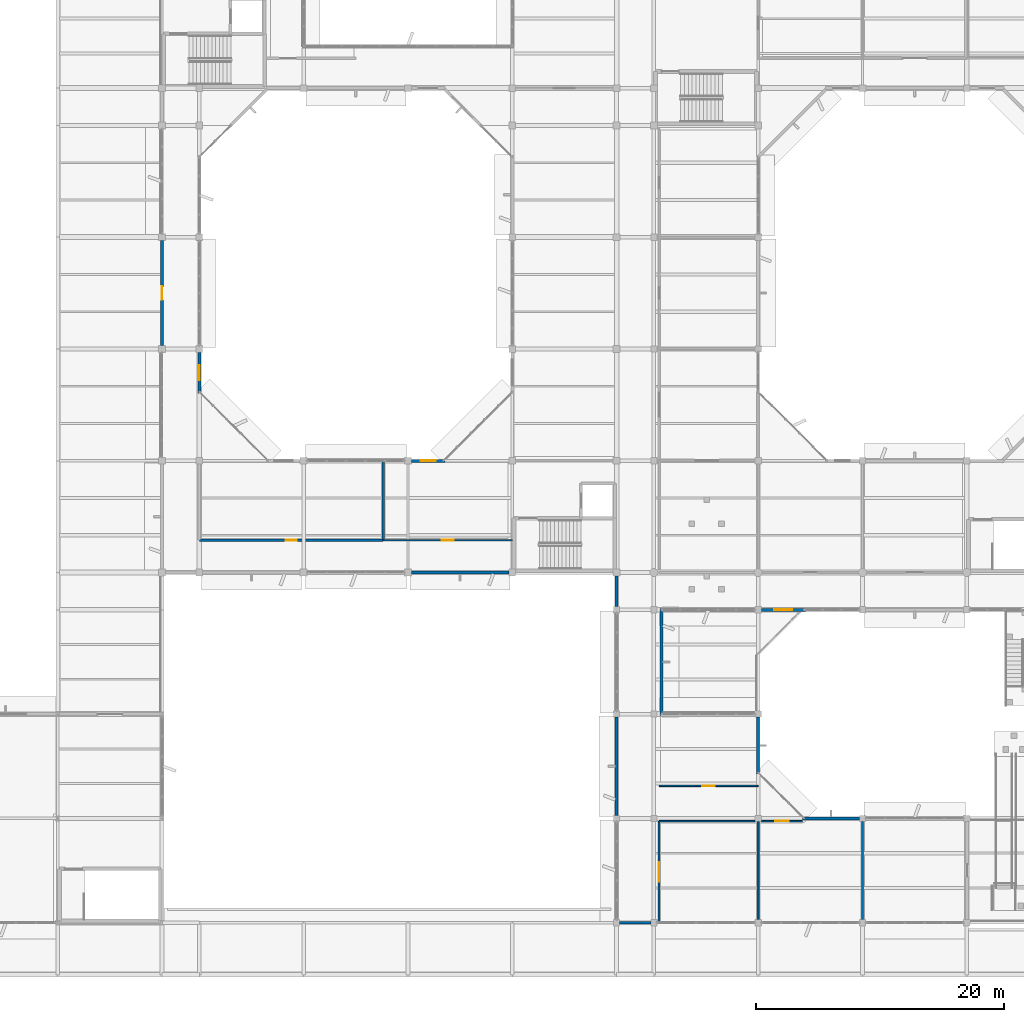
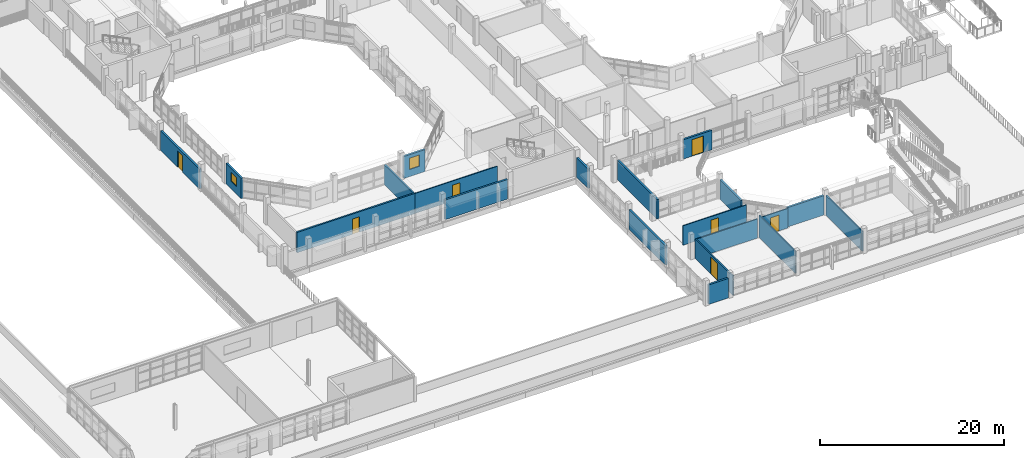
# One storey, part 59 of 92: 20 walls, 7 doors, 2 windows, 9 openings.
"""IFC4 building model written with IfcOpenShell, lengths in metres."""

from ifc_helpers import new_model, si_unit, direction, frame, frame_2d, origin, place, context, subcontext, project, spatial, rectangle, extrude, material, layer, layer_set, type_object, element, fill, save


model = new_model("IFC4")

# Units and contexts
model_context = context("Model", 3, precision=1e-05, world=origin(), true_north=direction((0.0, 1.0)))
body_context = subcontext(model_context, "Body", "Model", "MODEL_VIEW")
ifc_project = project(units=[si_unit("LENGTHUNIT", "METRE"), si_unit("AREAUNIT", "SQUARE_METRE"), si_unit("VOLUMEUNIT", "CUBIC_METRE"), si_unit("PLANEANGLEUNIT", "RADIAN"), si_unit("MASSUNIT", "GRAM", prefix="KILO")], contexts=[model_context])

# Site, building, storey
site_placement = place(None, origin())
site = spatial("IfcSite", under=ifc_project, at=site_placement, CompositionType="ELEMENT")
building_placement = place(site_placement, origin())
building = spatial("IfcBuilding", under=site, at=building_placement, Name="Vanh Quang Courtyard School", CompositionType="ELEMENT")
storey_placement = place(building_placement, frame((0.0, 0.0, 7.800048828125)))
storey = spatial("IfcBuildingStorey", under=building, at=storey_placement, Name="L02", CompositionType="ELEMENT", Elevation=7.800048828125)

# Wall
ifc_material_1 = material(Name="Concrete C30/37", Category="concrete")
ifc_layer_1 = layer(ifc_material_1, 0.199951171875)
ifc_layer_set_1 = layer_set([ifc_layer_1], Name="Concrete C30/37")
wall_type_1 = type_object("IfcWallType", Name="W-COMP-200", PredefinedType="PARTITIONING", material=ifc_layer_set_1)
wall_1_placement = place(storey_placement, frame((55.60009765625, 41.39990234375, 0.0), z_axis=(0.0, 0.0, 1.0), x_axis=(0.0, -1.0, 0.0)))
element("IfcWall", 1, at=wall_1_placement, inside=storey, type_object=wall_type_1, Name="Wall W-COMP1 (L02)", PredefinedType="PARTITIONING", context=body_context, shape_type="SweptSolid", body=[
    extrude(rectangle(XDim=6.39990234375, YDim=0.199951171875, at=frame_2d((3.199951171875, 0.0))), origin(), (0.0, 0.0, 1.0), 2.599853515625),
])

# Wall, opening, door
wall_2_placement = place(storey_placement, frame((55.60009765625, 35.0, 0.0), z_axis=(0.0, 0.0, 1.0), x_axis=(-1.0, 0.0, 0.0)))
wall_2 = element("IfcWall", 2, at=wall_2_placement, inside=storey, type_object=wall_type_1, Name="Wall W-COMP1 (L02)", PredefinedType="PARTITIONING", context=body_context, shape_type="SweptSolid", body=[
    extrude(rectangle(XDim=14.800048828125, YDim=0.199951171875, at=frame_2d((7.39990234375, 0.0))), origin(), (0.0, 0.0, 1.0), 2.699951171875),
])
opening_1_placement = place(wall_2_placement, frame((6.949951171875, 0.0, 0.0)))
opening_1 = element("IfcOpeningElement", 3, at=opening_1_placement, cuts=wall_2, Name="Opening L02-D100", PredefinedType="OPENING", context=body_context, shape_type="SweptSolid", body=[
    extrude(rectangle(XDim=0.89990234375, YDim=2.050048828125, at=frame_2d((0.449951171875, 1.02490234375))), frame((0.0, 0.10986328125, 0.0), z_axis=(0.0, -1.0, 0.0), x_axis=(1.0, 0.0, 0.0)), (0.0, 0.0, 1.0), 0.219970703125),
])
ifc_material_2 = material(Name="Painted galvanised steel fire door", Category="steel")
door_type_1 = type_object("IfcDoorType", Name="IDR-RS-0900x2050", OperationType="NOTDEFINED", PredefinedType="DOOR", material=ifc_material_2)
door_1_placement = place(opening_1_placement, origin())
door_1 = element("IfcDoor", 4, at=door_1_placement, inside=storey, type_object=door_type_1, Name="Door L02-D100 (L02)", OperationType="SINGLE_SWING_LEFT", OverallHeight=2.050048828125, OverallWidth=0.89990234375, PredefinedType="DOOR", context=body_context, shape_type="SweptSolid", body=[
    extrude(rectangle(XDim=0.89990234375, YDim=2.050048828125, at=frame_2d((0.449951171875, 1.02490234375))), frame((0.0, 0.02490234375, 0.0), z_axis=(0.0, -1.0, 0.0), x_axis=(1.0, 0.0, 0.0)), (0.0, 0.0, 1.0), 0.050048828125),
])
fill(opening_1, door_1)

ifc_material_3 = material(Name="Precast concrete C40/50", Category="concrete")
ifc_layer_2 = layer(ifc_material_3, 0.239990234375)
ifc_layer_set_2 = layer_set([ifc_layer_2], Name="Precast concrete C40/50")
wall_type_2 = type_object("IfcWallType", Name="W-EXT-240", PredefinedType="SOLIDWALL", material=ifc_layer_set_2)
wall_3_placement = place(storey_placement, frame((89.615966796875, 29.39990234375, 0.0), z_axis=(0.0, 0.0, 1.0), x_axis=(-1.0, 0.0, 0.0)))
wall_3 = element("IfcWall", 5, at=wall_3_placement, inside=storey, type_object=wall_type_2, Name="Wall WE-03 (L02)", PredefinedType="SOLIDWALL", context=body_context, shape_type="SweptSolid", body=[
    extrude(rectangle(XDim=3.56787109375, YDim=0.239990234375, at=frame_2d((1.783935546875, 0.0))), origin(), (0.0, 0.0, 1.0), 2.579833984375),
])
opening_2_placement = place(wall_3_placement, frame((1.05908203125, 0.0, 0.0)))
opening_2 = element("IfcOpeningElement", 6, at=opening_2_placement, cuts=wall_3, Name="Opening L02-PD049", PredefinedType="OPENING", context=body_context, shape_type="SweptSolid", body=[
    extrude(rectangle(XDim=1.449951171875, YDim=2.199951171875, at=frame_2d((0.72509765625, 1.10009765625))), frame((0.0, 0.1298828125, 0.0), z_axis=(0.0, -1.0, 0.0), x_axis=(1.0, 0.0, 0.0)), (0.0, 0.0, 1.0), 0.260009765625),
])
ifc_material_4 = material(Name="Thermally broken aluminium and laminated safety glass", Category="aluminium")
door_type_2 = type_object("IfcDoorType", Name="EDR-TYP-20", OperationType="NOTDEFINED", PredefinedType="DOOR", material=ifc_material_4)
door_2_placement = place(opening_2_placement, origin())
door_2 = element("IfcDoor", 7, at=door_2_placement, inside=storey, type_object=door_type_2, Name="Door L02-PD049 (L02)", OperationType="SINGLE_SWING_RIGHT", OverallHeight=2.199951171875, OverallWidth=1.449951171875, PredefinedType="DOOR", context=body_context, shape_type="SweptSolid", body=[
    extrude(rectangle(XDim=1.449951171875, YDim=2.199951171875, at=frame_2d((0.72509765625, 1.10009765625))), frame((0.0, 0.02490234375, 0.0), z_axis=(0.0, -1.0, 0.0), x_axis=(1.0, 0.0, 0.0)), (0.0, 0.0, 1.0), 0.050048828125),
])
fill(opening_2, door_2)

# Walls
wall_4_placement = place(storey_placement, frame((78.0, 29.52001953125, 0.0), z_axis=(0.0, 0.0, 1.0), x_axis=(0.0, -1.0, 0.0)))
element("IfcWall", 8, at=wall_4_placement, inside=storey, type_object=wall_type_2, Name="Wall WE-03 (L02)", PredefinedType="SOLIDWALL", context=body_context, shape_type="SweptSolid", body=[
    extrude(rectangle(XDim=8.64013671875, YDim=0.239990234375, at=frame_2d((4.320068359375, 0.0))), origin(), (0.0, 0.0, 1.0), 2.579833984375),
])
for number, where, z_axis, x_axis, name in (
    (9, (85.800048828125, 20.751953125, 0.0), (0.0, 0.0, 1.0), (0.0, -1.0, 0.0), "Wall WE-03 (L02)"),
    (10, (89.3759765625, 12.60009765625, 0.0), (0.0, 0.0, 1.0), (1.0, 0.0, 0.0), "Wall WE-03 (L02)"),
):
    element("IfcWall", number, at=place(storey_placement, frame(where, z_axis=z_axis, x_axis=x_axis)), inside=storey, type_object=wall_type_2, Name=name, PredefinedType="SOLIDWALL", context=body_context, shape_type="SweptSolid", body=[
        extrude(rectangle(XDim=4.575927734375, YDim=0.239990234375, at=frame_2d((2.2880859375, 0.0))), origin(), (0.0, 0.0, 1.0), 2.579833984375),
    ])
wall_5_placement = place(storey_placement, frame((77.152099609375, 4.199951171875, 0.0), z_axis=(0.0, 0.0, 1.0), x_axis=(-1.0, 0.0, 0.0)))
element("IfcWall", 11, at=wall_5_placement, inside=storey, type_object=wall_type_2, Name="Wall WE-03 (L02)", PredefinedType="SOLIDWALL", context=body_context, shape_type="SweptSolid", body=[
    extrude(rectangle(XDim=2.504150390625, YDim=0.239990234375, at=frame_2d((1.251953125, 0.0))), origin(), (0.0, 0.0, 1.0), 2.579833984375),
])
wall_6_placement = place(storey_placement, frame((74.39990234375, 12.847900390625, 0.0), z_axis=(0.0, 0.0, 1.0), x_axis=(0.0, 1.0, 0.0)))
element("IfcWall", 12, at=wall_6_placement, inside=storey, type_object=wall_type_2, Name="Wall WE-03 (L02)", PredefinedType="SOLIDWALL", context=body_context, shape_type="SweptSolid", body=[
    extrude(rectangle(XDim=7.904052734375, YDim=0.239990234375, at=frame_2d((3.9521484375, 0.0))), origin(), (0.0, 0.0, 1.0), 2.579833984375),
])
wall_7_placement = place(storey_placement, frame((74.39990234375, 29.64794921875, 0.0), z_axis=(0.0, 0.0, 1.0), x_axis=(0.0, 1.0, 0.0)))
element("IfcWall", 13, at=wall_7_placement, inside=storey, type_object=wall_type_2, Name="Wall WE-03 (L02)", PredefinedType="SOLIDWALL", context=body_context, shape_type="SweptSolid", body=[
    extrude(rectangle(XDim=2.47900390625, YDim=0.239990234375, at=frame_2d((1.239501953125, 0.0))), origin(), (0.0, 0.0, 1.0), 2.579833984375),
])
wall_8_placement = place(storey_placement, frame((65.72705078125, 32.39990234375, 0.0), z_axis=(0.0, 0.0, 1.0), x_axis=(-1.0, 0.0, 0.0)))
element("IfcWall", 14, at=wall_8_placement, inside=storey, type_object=wall_type_2, Name="Wall WE-03 (L02)", PredefinedType="SOLIDWALL", context=body_context, shape_type="SweptSolid", body=[
    extrude(rectangle(XDim=7.85400390625, YDim=0.239990234375, at=frame_2d((3.927001953125, 0.0))), origin(), (0.0, 0.0, 1.0), 2.599853515625),
])

# Wall, opening, door
wall_9_placement = place(storey_placement, frame((37.800048828125, 50.673095703125, 0.0), z_axis=(0.0, 0.0, 1.0), x_axis=(0.0, 1.0, 0.0)))
wall_9 = element("IfcWall", 15, at=wall_9_placement, inside=storey, type_object=wall_type_2, Name="Wall WE-03 (L02)", PredefinedType="SOLIDWALL", context=body_context, shape_type="SweptSolid", body=[
    extrude(rectangle(XDim=8.453857421875, YDim=0.239990234375, at=frame_2d((4.22705078125, 0.0))), origin(), (0.0, 0.0, 1.0), 2.599853515625),
])
opening_3_placement = place(wall_9_placement, frame((3.677001953125, 0.0, 0.0)))
opening_3 = element("IfcOpeningElement", 16, at=opening_3_placement, cuts=wall_9, Name="Opening L02-PD051", PredefinedType="OPENING", context=body_context, shape_type="SweptSolid", body=[
    extrude(rectangle(XDim=1.10009765625, YDim=2.14990234375, at=frame_2d((0.550048828125, 1.074951171875))), frame((0.0, 0.1298828125, 0.0), z_axis=(0.0, -1.0, 0.0), x_axis=(1.0, 0.0, 0.0)), (0.0, 0.0, 1.0), 0.260009765625),
])
door_type_3 = type_object("IfcDoorType", Name="EDR-TYP-02", OperationType="NOTDEFINED", PredefinedType="DOOR", material=ifc_material_4)
door_3_placement = place(opening_3_placement, origin())
door_3 = element("IfcDoor", 17, at=door_3_placement, inside=storey, type_object=door_type_3, Name="Door L02-PD051 (L02)", OperationType="SINGLE_SWING_RIGHT", OverallHeight=2.14990234375, OverallWidth=1.10009765625, PredefinedType="DOOR", context=body_context, shape_type="SweptSolid", body=[
    extrude(rectangle(XDim=1.10009765625, YDim=2.14990234375, at=frame_2d((0.550048828125, 1.074951171875))), frame((0.0, 0.02490234375, 0.0), z_axis=(0.0, -1.0, 0.0), x_axis=(1.0, 0.0, 0.0)), (0.0, 0.0, 1.0), 0.050048828125),
])
fill(opening_3, door_3)

# Wall, opening, window
wall_10_placement = place(storey_placement, frame((40.800048828125, 50.126953125, 0.0), z_axis=(0.0, 0.0, 1.0), x_axis=(0.0, -1.0, 0.0)))
wall_10 = element("IfcWall", 18, at=wall_10_placement, inside=storey, type_object=wall_type_2, Name="Wall WE-03 (L02)", PredefinedType="SOLIDWALL", context=body_context, shape_type="SweptSolid", body=[
    extrude(rectangle(XDim=3.302978515625, YDim=0.239990234375, at=frame_2d((1.6513671875, 0.0))), origin(), (0.0, 0.0, 1.0), 2.699951171875),
])
opening_4_placement = place(wall_10_placement, frame((1.051513671875, 0.0, 0.949951171875)))
opening_4 = element("IfcOpeningElement", 19, at=opening_4_placement, cuts=wall_10, Name="Opening WN-01", PredefinedType="OPENING", context=body_context, shape_type="SweptSolid", body=[
    extrude(rectangle(XDim=1.199951171875, YDim=1.199951171875, at=frame_2d((0.60009765625, 0.60009765625))), frame((0.0, 0.1298828125, 0.0), z_axis=(0.0, -1.0, 0.0), x_axis=(1.0, 0.0, 0.0)), (0.0, 0.0, 1.0), 0.260009765625),
])
ifc_material_5 = material(Name="Anodised aluminium and low-E double glazing", Category="aluminium")
window_type_1 = type_object("IfcWindowType", Name="WIN-TYP-01", PartitioningType="SINGLE_PANEL", PredefinedType="WINDOW", material=ifc_material_5)
window_1_placement = place(opening_4_placement, origin())
window_1 = element("IfcWindow", 20, at=window_1_placement, inside=storey, type_object=window_type_1, Name="Window WN-01 (L02)", OverallHeight=1.199951171875, OverallWidth=1.199951171875, PartitioningType="SINGLE_PANEL", PredefinedType="WINDOW", context=body_context, shape_type="SweptSolid", body=[
    extrude(rectangle(XDim=1.199951171875, YDim=1.199951171875, at=frame_2d((0.60009765625, 0.60009765625))), frame((0.0, 0.030029296875, 0.0), z_axis=(0.0, -1.0, 0.0), x_axis=(1.0, 0.0, 0.0)), (0.0, 0.0, 1.0), 0.06005859375),
])
fill(opening_4, window_1)

wall_11_placement = place(storey_placement, frame((57.873046875, 41.39990234375, 0.0), z_axis=(0.0, 0.0, 1.0), x_axis=(1.0, 0.0, 0.0)))
wall_11 = element("IfcWall", 21, at=wall_11_placement, inside=storey, type_object=wall_type_2, Name="Wall WE-03 (L02)", PredefinedType="SOLIDWALL", context=body_context, shape_type="SweptSolid", body=[
    extrude(rectangle(XDim=2.702880859375, YDim=0.239990234375, at=frame_2d((1.3515625, 0.0))), origin(), (0.0, 0.0, 1.0), 2.909912109375),
])
opening_5_placement = place(wall_11_placement, frame((0.75146484375, 0.0, 0.949951171875)))
opening_5 = element("IfcOpeningElement", 22, at=opening_5_placement, cuts=wall_11, Name="Opening WN-10", PredefinedType="OPENING", context=body_context, shape_type="SweptSolid", body=[
    extrude(rectangle(XDim=1.199951171875, YDim=1.5, at=frame_2d((0.60009765625, 0.75))), frame((0.0, 0.1298828125, 0.0), z_axis=(0.0, -1.0, 0.0), x_axis=(1.0, 0.0, 0.0)), (0.0, 0.0, 1.0), 0.260009765625),
])
window_type_2 = type_object("IfcWindowType", Name="WIN-TYP-10", PartitioningType="SINGLE_PANEL", PredefinedType="WINDOW", material=ifc_material_5)
window_2_placement = place(opening_5_placement, origin())
window_2 = element("IfcWindow", 23, at=window_2_placement, inside=storey, type_object=window_type_2, Name="Window WN-10 (L02)", OverallHeight=1.5, OverallWidth=1.199951171875, PartitioningType="SINGLE_PANEL", PredefinedType="WINDOW", context=body_context, shape_type="SweptSolid", body=[
    extrude(rectangle(XDim=1.199951171875, YDim=1.5, at=frame_2d((0.60009765625, 0.75))), frame((0.0, 0.030029296875, 0.0), z_axis=(0.0, -1.0, 0.0), x_axis=(1.0, 0.0, 0.0)), (0.0, 0.0, 1.0), 0.06005859375),
])
fill(opening_5, window_2)

# Wall, opening, door
ifc_material_6 = material(Name="Acoustic gypsum stud partition", Category="gypsum")
ifc_layer_3 = layer(ifc_material_6, 0.1201171875)
ifc_layer_set_3 = layer_set([ifc_layer_3], Name="Acoustic gypsum stud partition")
wall_type_3 = type_object("IfcWallType", Name="W-PART-120", PredefinedType="PARTITIONING", material=ifc_layer_set_3)
wall_12_placement = place(storey_placement, frame((66.0, 35.0, 0.0), z_axis=(0.0, 0.0, 1.0), x_axis=(-1.0, 0.0, 0.0)))
wall_12 = element("IfcWall", 24, at=wall_12_placement, inside=storey, type_object=wall_type_3, Name="Wall W-PRT2 (L02)", PredefinedType="PARTITIONING", context=body_context, shape_type="SweptSolid", body=[
    extrude(rectangle(XDim=10.3798828125, YDim=0.1201171875, at=frame_2d((5.18994140625, 0.0))), origin(), (0.0, 0.0, 1.0), 2.64990234375),
])
opening_6_placement = place(wall_12_placement, frame((4.715087890625, 0.0, 0.0)))
opening_6 = element("IfcOpeningElement", 25, at=opening_6_placement, cuts=wall_12, Name="Opening L02-D101", PredefinedType="OPENING", context=body_context, shape_type="SweptSolid", body=[
    extrude(rectangle(XDim=0.949951171875, YDim=2.10009765625, at=frame_2d((0.47509765625, 1.050048828125))), frame((0.0, 0.070068359375, 0.0), z_axis=(0.0, -1.0, 0.0), x_axis=(1.0, 0.0, 0.0)), (0.0, 0.0, 1.0), 0.14013671875),
])
ifc_material_7 = material(Name="Solid-core hardwood acoustic door", Category="wood")
door_type_4 = type_object("IfcDoorType", Name="IDR-CLS-0950x2100", OperationType="NOTDEFINED", PredefinedType="DOOR", material=ifc_material_7)
door_4_placement = place(opening_6_placement, origin())
door_4 = element("IfcDoor", 26, at=door_4_placement, inside=storey, type_object=door_type_4, Name="Door L02-D101 (L02)", OperationType="SINGLE_SWING_RIGHT", OverallHeight=2.10009765625, OverallWidth=0.949951171875, PredefinedType="DOOR", context=body_context, shape_type="SweptSolid", body=[
    extrude(rectangle(XDim=0.949951171875, YDim=2.10009765625, at=frame_2d((0.47509765625, 1.050048828125))), frame((0.0, 0.02490234375, 0.0), z_axis=(0.0, -1.0, 0.0), x_axis=(1.0, 0.0, 0.0)), (0.0, 0.0, 1.0), 0.050048828125),
])
fill(opening_6, door_4)

# Wall
wall_13_placement = place(storey_placement, frame((77.820068359375, 12.3798828125, 0.0), z_axis=(0.0, 0.0, 1.0), x_axis=(1.0, 0.0, 0.0)))
element("IfcWall", 27, at=wall_13_placement, inside=storey, type_object=wall_type_3, Name="Wall W-PRT2 (L02)", PredefinedType="PARTITIONING", context=body_context, shape_type="SweptSolid", body=[
    extrude(rectangle(XDim=7.73193359375, YDim=0.1201171875, at=frame_2d((3.865966796875, 0.0))), origin(), (0.0, 0.0, 1.0), 2.530029296875),
])

# Wall, opening, door
wall_14_placement = place(storey_placement, frame((85.800048828125, 15.219970703125, 0.0), z_axis=(0.0, 0.0, 1.0), x_axis=(-1.0, 0.0, 0.0)))
wall_14 = element("IfcWall", 28, at=wall_14_placement, inside=storey, type_object=wall_type_3, Name="Wall W-PRT2 (L02)", PredefinedType="PARTITIONING", context=body_context, shape_type="SweptSolid", body=[
    extrude(rectangle(XDim=7.97998046875, YDim=0.1201171875, at=frame_2d((3.989990234375, 0.0))), origin(), (0.0, 0.0, 1.0), 2.579833984375),
])
opening_7_placement = place(wall_14_placement, frame((3.489990234375, 0.0, 0.0)))
opening_7 = element("IfcOpeningElement", 29, at=opening_7_placement, cuts=wall_14, Name="Opening L02-D106", PredefinedType="OPENING", context=body_context, shape_type="SweptSolid", body=[
    extrude(rectangle(XDim=1.0, YDim=2.10009765625, at=frame_2d((0.5, 1.050048828125))), frame((0.0, 0.070068359375, 0.0), z_axis=(0.0, -1.0, 0.0), x_axis=(1.0, 0.0, 0.0)), (0.0, 0.0, 1.0), 0.14013671875),
])
door_type_5 = type_object("IfcDoorType", Name="IDR-CLS-1000x2100", OperationType="NOTDEFINED", PredefinedType="DOOR", material=ifc_material_7)
door_5_placement = place(opening_7_placement, origin())
door_5 = element("IfcDoor", 30, at=door_5_placement, inside=storey, type_object=door_type_5, Name="Door L02-D106 (L02)", OperationType="SINGLE_SWING_LEFT", OverallHeight=2.10009765625, OverallWidth=1.0, PredefinedType="DOOR", context=body_context, shape_type="SweptSolid", body=[
    extrude(rectangle(XDim=1.0, YDim=2.10009765625, at=frame_2d((0.5, 1.050048828125))), frame((0.0, 0.02490234375, 0.0), z_axis=(0.0, -1.0, 0.0), x_axis=(1.0, 0.0, 0.0)), (0.0, 0.0, 1.0), 0.050048828125),
])
fill(opening_7, door_5)

wall_15_placement = place(storey_placement, frame((86.048095703125, 12.380126953125, 0.0), z_axis=(0.0, 0.0, 1.0), x_axis=(0.99999997562, 0.00022081554, 0.0)))
wall_15 = element("IfcWall", 31, at=wall_15_placement, inside=storey, type_object=wall_type_3, Name="Wall W-PRT2 (L02)", PredefinedType="PARTITIONING", context=body_context, shape_type="SweptSolid", body=[
    extrude(rectangle(XDim=3.31689453125, YDim=0.1201171875, at=frame_2d((1.658447265625, 0.0))), origin(), (0.0, 0.0, 1.0), 2.579833984375),
])
opening_8_placement = place(wall_15_placement, frame((1.1083984375, 0.0, 0.0)))
opening_8 = element("IfcOpeningElement", 32, at=opening_8_placement, cuts=wall_15, Name="Opening L02-D112", PredefinedType="OPENING", context=body_context, shape_type="SweptSolid", body=[
    extrude(rectangle(XDim=1.10009765625, YDim=2.10009765625, at=frame_2d((0.550048828125, 1.050048828125))), frame((0.0, 0.070068359375, 0.0), z_axis=(0.0, -1.0, 0.0), x_axis=(1.0, 0.0, 0.0)), (0.0, 0.0, 1.0), 0.14013671875),
])
door_type_6 = type_object("IfcDoorType", Name="IDR-CLS-1100x2100", OperationType="NOTDEFINED", PredefinedType="DOOR", material=ifc_material_7)
door_6_placement = place(opening_8_placement, origin())
door_6 = element("IfcDoor", 33, at=door_6_placement, inside=storey, type_object=door_type_6, Name="Door L02-D112 (L02)", OperationType="SINGLE_SWING_LEFT", OverallHeight=2.10009765625, OverallWidth=1.10009765625, PredefinedType="DOOR", context=body_context, shape_type="SweptSolid", body=[
    extrude(rectangle(XDim=1.10009765625, YDim=2.10009765625, at=frame_2d((0.550048828125, 1.050048828125))), frame((0.0, 0.02490234375, 0.0), z_axis=(0.0, -1.0, 0.0), x_axis=(1.0, 0.0, 0.0)), (0.0, 0.0, 1.0), 0.050048828125),
])
fill(opening_8, door_6)

ifc_material_8 = material(Name="Autoclaved aerated masonry blockwork", Category="masonry")
ifc_layer_4 = layer(ifc_material_8, 0.14990234375)
ifc_layer_set_4 = layer_set([ifc_layer_4], Name="Autoclaved aerated masonry blockwork")
wall_type_4 = type_object("IfcWallType", Name="W-PART-150", PredefinedType="PARTITIONING", material=ifc_layer_set_4)
wall_16_placement = place(storey_placement, frame((77.820068359375, 4.199951171875, 0.0), z_axis=(0.0, 0.0, 1.0), x_axis=(0.0, 1.0, 0.0)))
wall_16 = element("IfcWall", 34, at=wall_16_placement, inside=storey, type_object=wall_type_4, Name="Wall W-PRT1 (L02)", PredefinedType="PARTITIONING", context=body_context, shape_type="SweptSolid", body=[
    extrude(rectangle(XDim=8.179931640625, YDim=0.14990234375, at=frame_2d((4.08984375, 0.0))), origin(), (0.0, 0.0, 1.0), 2.579833984375),
])
opening_9_placement = place(wall_16_placement, frame((3.31494140625, 0.0, 0.0)))
opening_9 = element("IfcOpeningElement", 35, at=opening_9_placement, cuts=wall_16, Name="Opening L02-D105", PredefinedType="OPENING", context=body_context, shape_type="SweptSolid", body=[
    extrude(rectangle(XDim=1.550048828125, YDim=2.199951171875, at=frame_2d((0.77490234375, 1.10009765625))), frame((0.0, 0.0849609375, 0.0), z_axis=(0.0, -1.0, 0.0), x_axis=(1.0, 0.0, 0.0)), (0.0, 0.0, 1.0), 0.169921875),
])
door_type_7 = type_object("IfcDoorType", Name="IDR-KIT-1550x2200", OperationType="NOTDEFINED", PredefinedType="DOOR", material=ifc_material_2)
door_7_placement = place(opening_9_placement, origin())
door_7 = element("IfcDoor", 36, at=door_7_placement, inside=storey, type_object=door_type_7, Name="Door L02-D105 (L02)", OperationType="DOUBLE_DOOR_SINGLE_SWING", OverallHeight=2.199951171875, OverallWidth=1.550048828125, PredefinedType="DOOR", context=body_context, shape_type="SweptSolid", body=[
    extrude(rectangle(XDim=1.550048828125, YDim=2.199951171875, at=frame_2d((0.77490234375, 1.10009765625))), frame((0.0, 0.02490234375, 0.0), z_axis=(0.0, -1.0, 0.0), x_axis=(1.0, 0.0, 0.0)), (0.0, 0.0, 1.0), 0.050048828125),
])
fill(opening_9, door_7)

# Walls
wall_17_placement = place(storey_placement, frame((85.800048828125, 12.35205078125, 0.0), z_axis=(0.0, 0.0, 1.0), x_axis=(0.0, -1.0, 0.0)))
element("IfcWall", 37, at=wall_17_placement, inside=storey, type_object=wall_type_4, Name="Wall W-PRT1 (L02)", PredefinedType="PARTITIONING", context=body_context, shape_type="SweptSolid", body=[
    extrude(rectangle(XDim=7.904052734375, YDim=0.14990234375, at=frame_2d((3.9521484375, 0.0))), origin(), (0.0, 0.0, 1.0), 2.919921875),
])
wall_18_placement = place(storey_placement, frame((94.199951171875, 12.35205078125, 0.0), z_axis=(0.0, 0.0, 1.0), x_axis=(0.0, -1.0, 0.0)))
element("IfcWall", 38, at=wall_18_placement, inside=storey, type_object=wall_type_4, Name="Wall W-PRT1 (L02)", PredefinedType="PARTITIONING", context=body_context, shape_type="SweptSolid", body=[
    extrude(rectangle(XDim=7.904052734375, YDim=0.14990234375, at=frame_2d((3.9521484375, 0.0))), origin(), (0.0, 0.0, 1.0), 2.6298828125),
])

save(model, "model.ifc")
